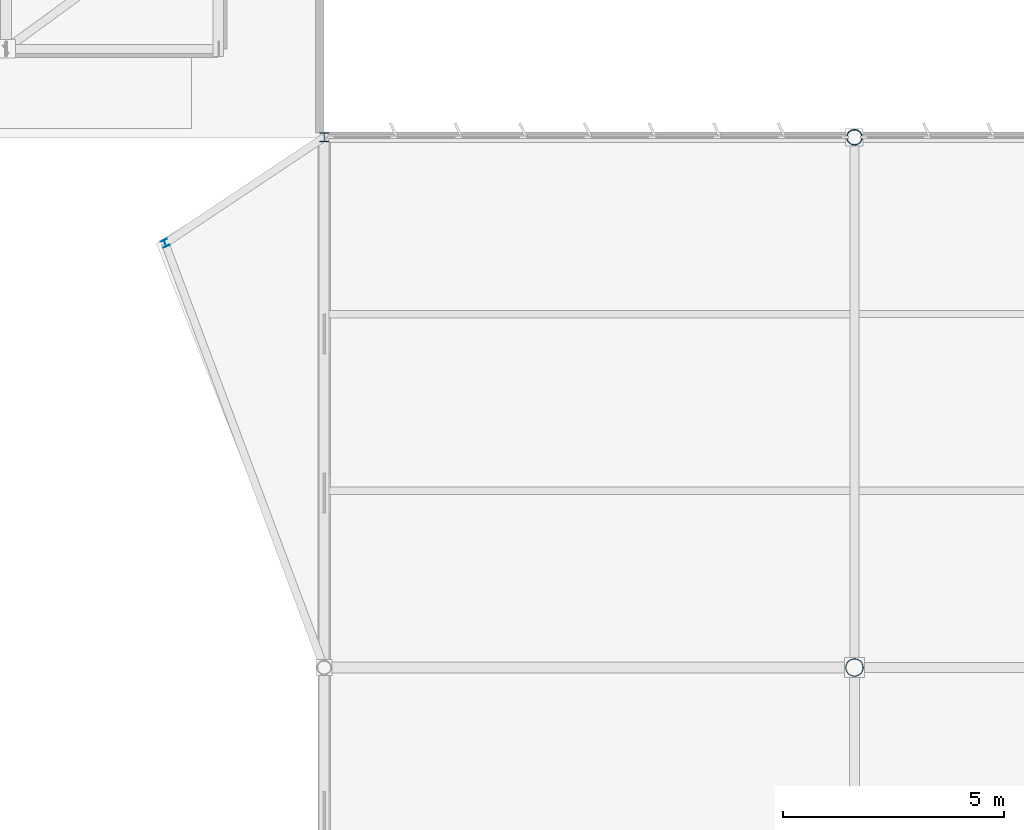
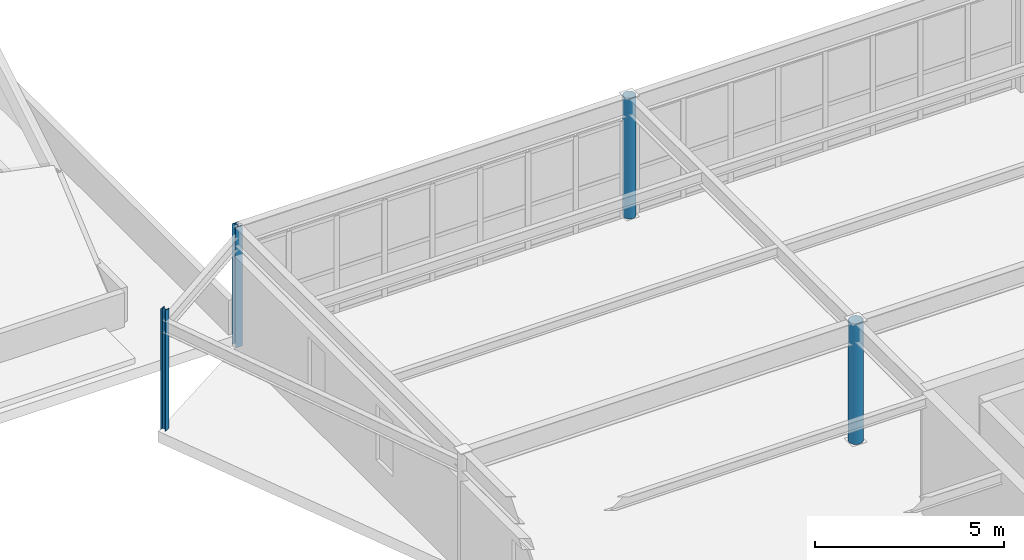
# One storey, part 19 of 128: 4 columns.
"""IFC4 building model written with IfcOpenShell, lengths in metres."""

from ifc_helpers import new_model, si_unit, direction, frame, origin, origin_2d, place, context, subcontext, project, spatial, hollow_circle, i_section, extrude, material, material_profile, profile_set, type_object, element, save


model = new_model("IFC4")

# Units and contexts
model_context = context("Model", 3, precision=1e-05, world=origin(), true_north=direction((0.0, 1.0)))
body_context = subcontext(model_context, "Body", "Model", "MODEL_VIEW")
ifc_project = project(units=[si_unit("LENGTHUNIT", "METRE"), si_unit("AREAUNIT", "SQUARE_METRE"), si_unit("VOLUMEUNIT", "CUBIC_METRE"), si_unit("PLANEANGLEUNIT", "RADIAN"), si_unit("MASSUNIT", "GRAM", prefix="KILO")], contexts=[model_context])

# Site, building, storey
site_placement = place(None, origin())
site = spatial("IfcSite", under=ifc_project, at=site_placement, CompositionType="ELEMENT")
building_placement = place(site_placement, origin())
building = spatial("IfcBuilding", under=site, at=building_placement, Name="Tarnwether General Hospital", CompositionType="ELEMENT")
storey_placement = place(building_placement, frame((0.0, 0.0, 14.39990234375)))
storey = spatial("IfcBuildingStorey", under=building, at=storey_placement, Name="L03", CompositionType="ELEMENT", Elevation=14.39990234375)

# Columns
ifc_material_1 = material(Name="Steel Grade C350L0 (350 MPa)", Category="steel")
ifc_material_profile_1 = material_profile(ifc_material_1, hollow_circle(Radius=0.203125, WallThickness=0.01611328125, at=origin_2d()), Name="CHS406.4x16.0")
ifc_profile_set_1 = profile_set([ifc_material_profile_1], Name="Steel Grade C350L0 (350 MPa)")
column_type_1 = type_object("IfcColumnType", Name="COL-10", PredefinedType="COLUMN", material=ifc_profile_set_1)
column_1_placement = place(storey_placement, frame((156.0, 33.60009765625, 0.0), z_axis=(0.0, 0.0, 1.0), x_axis=(0.0, 1.0, 0.0)))
element("IfcColumn", 1, at=column_1_placement, inside=storey, type_object=column_type_1, Name="Column COLG-L03-15600_3360", PredefinedType="COLUMN", context=body_context, shape_type="SweptSolid", body=[
    extrude(hollow_circle(Radius=0.203125, WallThickness=0.01611328125, at=origin_2d()), origin(), (0.0, 0.0, 1.0), 3.900146484375),
])
ifc_material_2 = material(Name="Steel Grade C350L0 (350 MPa)", Category="steel")
ifc_material_profile_2 = material_profile(ifc_material_2, hollow_circle(Radius=0.177734375, WallThickness=0.0126953125, at=origin_2d()), Name="CHS355.6x12.7")
ifc_profile_set_2 = profile_set([ifc_material_profile_2], Name="Steel Grade C350L0 (350 MPa)")
column_type_2 = type_object("IfcColumnType", Name="COL-11", PredefinedType="COLUMN", material=ifc_profile_set_2)
column_2_placement = place(storey_placement, frame((156.0, 45.60009765625, 0.0), z_axis=(0.0, 0.0, 1.0), x_axis=(0.0, 1.0, 0.0)))
element("IfcColumn", 2, at=column_2_placement, inside=storey, type_object=column_type_2, Name="Column COLG-L03-15600_4560", PredefinedType="COLUMN", context=body_context, shape_type="SweptSolid", body=[
    extrude(hollow_circle(Radius=0.177734375, WallThickness=0.0126953125, at=origin_2d()), origin(), (0.0, 0.0, 1.0), 3.900146484375),
])
ifc_material_3 = material(Name="Steel Grade 350 (350 MPa)", Category="steel")
ifc_material_profile_3 = material_profile(ifc_material_3, i_section(OverallWidth=0.202880859375, OverallDepth=0.202880859375, WebThickness=0.00732421875, FlangeThickness=0.010986328125, at=origin_2d()), Name="200UC46.2")
ifc_profile_set_3 = profile_set([ifc_material_profile_3], Name="Steel Grade 350 (350 MPa)")
column_type_3 = type_object("IfcColumnType", Name="COL-27", PredefinedType="COLUMN", material=ifc_profile_set_3)
column_3_placement = place(storey_placement, frame((144.0, 45.60009765625, 0.0), z_axis=(0.0, 0.0, 1.0), x_axis=(1.0, 0.0, 0.0)))
element("IfcColumn", 3, at=column_3_placement, inside=storey, type_object=column_type_3, Name="Column COLG-L03-14400_4560", PredefinedType="COLUMN", context=body_context, shape_type="SweptSolid", body=[
    extrude(i_section(OverallWidth=0.202880859375, OverallDepth=0.202880859375, WebThickness=0.00732421875, FlangeThickness=0.010986328125, at=origin_2d()), origin(), (0.0, 0.0, 1.0), 3.900146484375),
])
ifc_material_4 = material(Name="Steel Grade 350 (350 MPa)", Category="steel")
ifc_material_profile_4 = material_profile(ifc_material_4, i_section(OverallWidth=0.153076171875, OverallDepth=0.157958984375, WebThickness=0.006591796875, FlangeThickness=0.009521484375, at=origin_2d()), Name="150UC30.0")
ifc_profile_set_4 = profile_set([ifc_material_profile_4], Name="Steel Grade 350 (350 MPa)")
column_type_4 = type_object("IfcColumnType", Name="COL-31", PredefinedType="COLUMN", material=ifc_profile_set_4)
column_4_placement = place(storey_placement, frame((140.39990234375, 43.199951171875, 0.0), z_axis=(0.0, 0.0, 1.0), x_axis=(0.913545457643, 0.406736643076, 0.0)))
element("IfcColumn", 4, at=column_4_placement, inside=storey, type_object=column_type_4, Name="Column COLG-L03-14040_4320", PredefinedType="COLUMN", context=body_context, shape_type="SweptSolid", body=[
    extrude(i_section(OverallWidth=0.153076171875, OverallDepth=0.157958984375, WebThickness=0.006591796875, FlangeThickness=0.009521484375, at=origin_2d()), origin(), (0.0, 0.0, 1.0), 3.900146484375),
])

save(model, "model.ifc")
